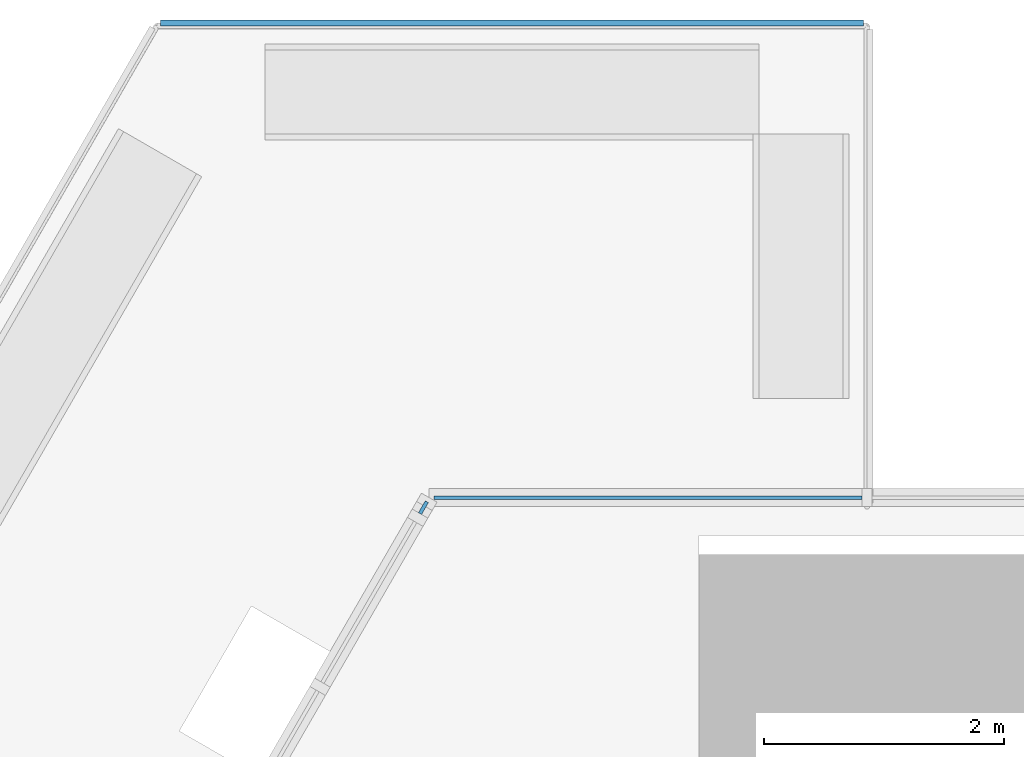
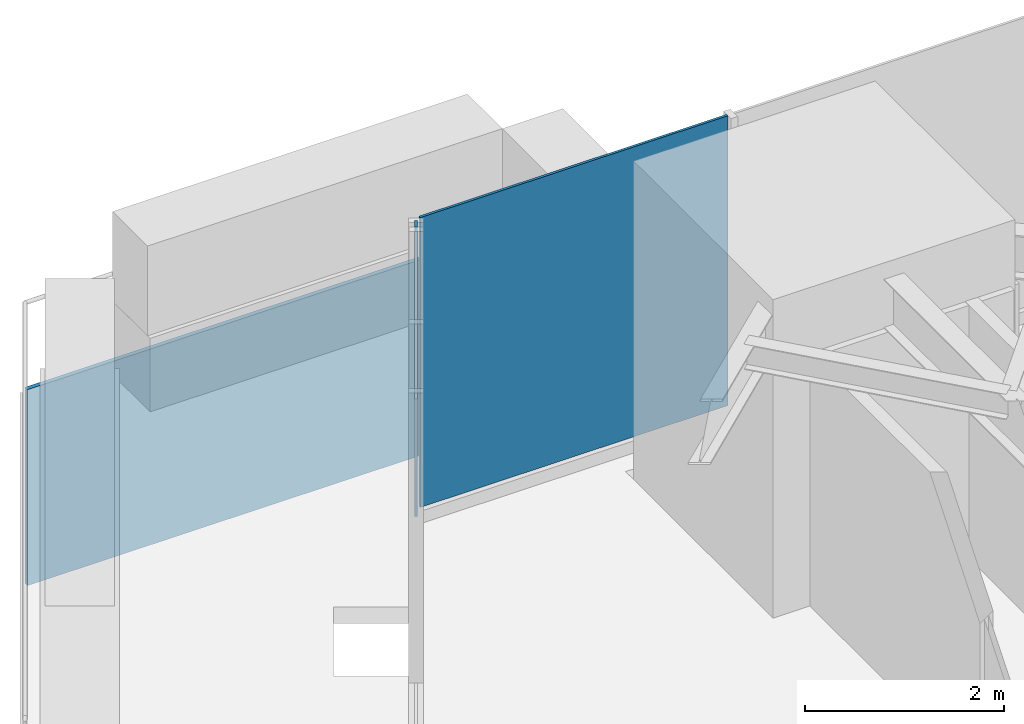
# One storey, part 23 of 35: 3 plates, 2 elements without a shape of their own.
"""IFC4 building model written with IfcOpenShell, lengths in metres."""

from ifc_helpers import new_model, si_unit, direction, frame, origin, place, context, subcontext, project, spatial, polyline, outline, extrude, material, layer, layer_set, type_object, element, aggregate, save


model = new_model("IFC4")

# Units and contexts
model_context = context("Model", 3, precision=1e-05, world=origin(), true_north=direction((0.0, 1.0)))
body_context = subcontext(model_context, "Body", "Model", "MODEL_VIEW")
ifc_project = project(units=[si_unit("LENGTHUNIT", "METRE"), si_unit("AREAUNIT", "SQUARE_METRE"), si_unit("VOLUMEUNIT", "CUBIC_METRE"), si_unit("PLANEANGLEUNIT", "RADIAN"), si_unit("MASSUNIT", "GRAM", prefix="KILO")], contexts=[model_context])

# Site, building, storey
site_placement = place(None, origin())
site = spatial("IfcSite", under=ifc_project, at=site_placement, CompositionType="ELEMENT")
building_placement = place(site_placement, origin())
building = spatial("IfcBuilding", under=site, at=building_placement, Name="Firuza Gate Tower and Library", CompositionType="ELEMENT")
storey_placement = place(building_placement, frame((0.0, 0.0, 159.699951171875)))
storey = spatial("IfcBuildingStorey", under=building, at=storey_placement, Name="L36", CompositionType="ELEMENT", Elevation=159.699951171875)

# Curtain wall, plate
ifc_material_1 = material(Name="Aluminium 6063-T6", Category="aluminium")
ifc_layer_1 = layer(ifc_material_1, 0.14990234375)
ifc_layer_set_1 = layer_set([ifc_layer_1], Name="Corner curtain wall, chamfers")
curtain_wall_type_1 = type_object("IfcCurtainWallType", Name="Corner curtain wall, chamfers", PredefinedType="NOTDEFINED", material=ifc_layer_set_1)
placement = place(storey_placement, origin())
curtain_wall_1 = element("IfcCurtainWall", 1, at=placement, inside=storey, type_object=curtain_wall_type_1, Name="CW4 L36 N corner", PredefinedType="NOTDEFINED")
ifc_material_2 = material(Name="Fritted glass", Category="glass")
ifc_layer_2 = layer(ifc_material_2, 0.030029296875)
ifc_layer_set_2 = layer_set([ifc_layer_2], Name="Fritted glass unit, corners")
plate_type_1 = type_object("IfcPlateType", Name="Fritted glass unit, corners", PredefinedType="CURTAIN_PANEL", material=ifc_layer_set_2)
plate_1_placement = place(storey_placement, frame((74.9599609375, 108.532470703125, 0.150146484375), z_axis=(0.0, 1.0, 0.0), x_axis=(-1.0, 0.0, 0.0)))
plate_1 = element("IfcPlate", 2, at=plate_1_placement, type_object=plate_type_1, Name="Glass unit", PredefinedType="CURTAIN_PANEL", context=body_context, shape_type="SweptSolid", body=[
    extrude(outline(polyline([(0.0, 0.0), (3.563232421875, 0.0), (3.563232421875, 3.5498046875), (0.0, 3.5498046875), (0.0, 0.0)])), origin(), (0.0, 0.0, -1.0), 0.030029296875),
])
aggregate(curtain_wall_1, [plate_1])

ifc_material_3 = material(Name="Aluminium 6063-T6", Category="aluminium")
ifc_layer_3 = layer(ifc_material_3, 0.14990234375)
ifc_layer_set_3 = layer_set([ifc_layer_3], Name="Unitised curtain wall, hotel")
curtain_wall_type_2 = type_object("IfcCurtainWallType", Name="Unitised curtain wall, hotel", PredefinedType="NOTDEFINED", material=ifc_layer_set_3)
curtain_wall_2 = element("IfcCurtainWall", 3, at=placement, inside=storey, type_object=curtain_wall_type_2, Name="CW2 L36 W face", PredefinedType="NOTDEFINED")
ifc_material_4 = material(Name="Glazed ceramic tile")
ifc_layer_4 = layer(ifc_material_4, 0.030029296875)
ifc_layer_set_4 = layer_set([ifc_layer_4], Name="Opaque ceramic panel, hotel")
plate_type_2 = type_object("IfcPlateType", Name="Opaque ceramic panel, hotel", PredefinedType="CURTAIN_PANEL", material=ifc_layer_set_4)
plate_2_placement = place(storey_placement, frame((71.32373046875, 108.490234375, 0.150146484375), z_axis=(-0.865574031608, 0.500780985868, 0.0), x_axis=(-0.500780985868, -0.865574031608, 0.0)))
plate_2 = element("IfcPlate", 4, at=plate_2_placement, type_object=plate_type_2, Name="Opaque ceramic panel", PredefinedType="CURTAIN_PANEL", context=body_context, shape_type="SweptSolid", body=[
    extrude(outline(polyline([(0.0, 0.0), (0.11310458383689945, 0.0), (0.11310458383689945, 3.5498046875), (0.0, 3.5498046875), (0.0, 0.0)])), origin(), (0.0, 0.0, -1.0), 0.030029296875),
])
aggregate(curtain_wall_2, [plate_2])

# Plate
ifc_material_5 = material(Name="Aluminium 6063-T6", Category="aluminium")
ifc_layer_5 = layer(ifc_material_5, 0.050048828125)
ifc_layer_set_5 = layer_set([ifc_layer_5], Name="Tray fascia panel 50")
plate_type_3 = type_object("IfcPlateType", Name="Tray fascia panel 50", PredefinedType="SHEET", material=ifc_layer_set_5)
plate_3_placement = place(storey_placement, frame((74.969970703125, 112.491943359375, -2.39990234375), z_axis=(0.0, 1.0, 0.0), x_axis=(-1.0, 0.0, 0.0)))
element("IfcPlate", 5, at=plate_3_placement, inside=storey, type_object=plate_type_3, Name="Tray fascia L36 1", PredefinedType="SHEET", context=body_context, shape_type="SweptSolid", body=[
    extrude(outline(polyline([(0.0, 0.0), (5.848876953125, 0.0), (5.848876953125, 2.39990234375), (0.0, 2.39990234375), (0.0, 0.0)])), origin(), (0.0, 0.0, -1.0), 0.050048828125),
])

save(model, "model.ifc")
